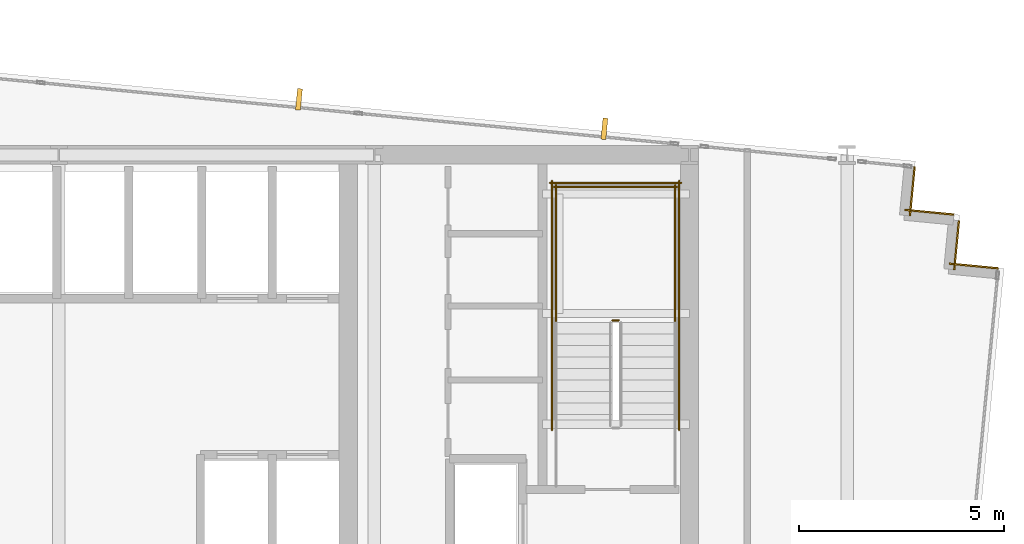
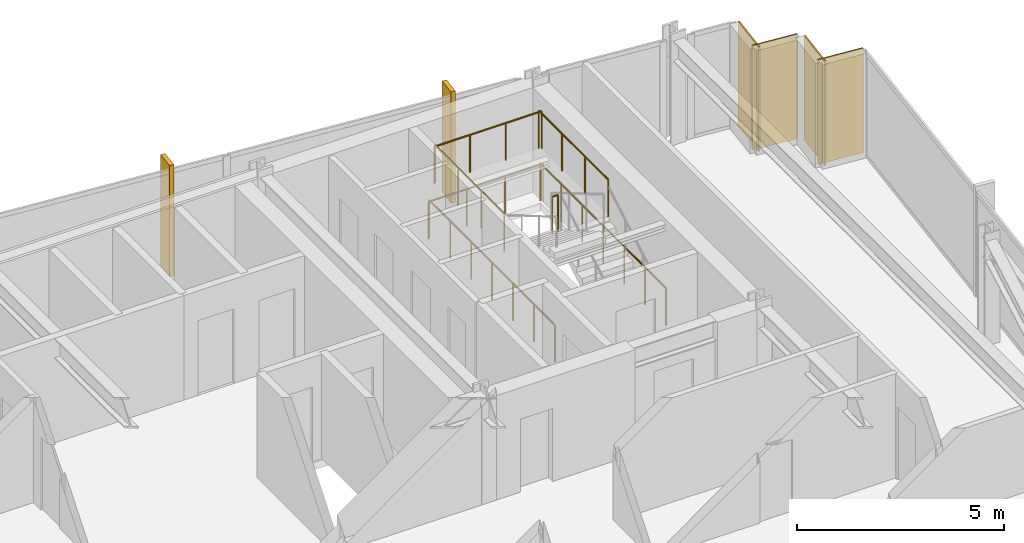
# One storey, part 37 of 37: 7 railings, 4 coverings, 2 shading devices.
"""IFC4 building model written with IfcOpenShell, lengths in metres."""

import ifcopenshell
import ifcopenshell.guid

model = None  # the IFC model being written
_history = None  # IfcOwnerHistory: only IFC2X3 demands one
_inside = {}  # id of a spatial element -> (the spatial element, [elements in it])
_under = {}  # id of a project, library or spatial element -> (it, [spatial elements below it])
_declared = {}  # id of a project -> (the project, [libraries it declares])
_typed = {}  # id of a type object -> (the type object, [elements of that type])
_made_of = {}  # id of a material, layer set ... -> (it, [elements and type objects made of it])


def new_model(schema):
    """Start an empty IFC model of exactly this schema.

    Asked for "IFC4X3", IfcOpenShell would pick the latest addendum, in which some entities
    have other attributes; the version numbers below select the first issue.
    IFC2X3 requires an IfcOwnerHistory on every rooted entity: one is made here for all.
    """
    global model, _history
    if schema == "IFC4X3":
        model = ifcopenshell.file(schema_version=(4, 3, 0, 0))
    else:
        model = ifcopenshell.file(schema=schema)
    _inside.clear()
    _under.clear()
    _declared.clear()
    _typed.clear()
    _made_of.clear()
    _history = None
    if model.schema == "IFC2X3":
        org = make("IfcOrganization", Name="unknown")
        user = make(
            "IfcPersonAndOrganization",
            ThePerson=make("IfcPerson", FamilyName="unknown"),
            TheOrganization=org,
        )
        app = make(
            "IfcApplication",
            ApplicationDeveloper=org,
            Version="unknown",
            ApplicationFullName="unknown",
            ApplicationIdentifier="unknown",
        )
        _history = make(
            "IfcOwnerHistory",
            OwningUser=user,
            OwningApplication=app,
            ChangeAction="ADDED",
            CreationDate=0,
        )
    return model


def make(cls, **values):
    """One entity of the class cls with the attributes given. An attribute that is None is left unset."""
    return model.create_entity(
        cls, **{name: value for name, value in values.items() if value is not None}
    )


def rooted(cls, **values):
    """An entity with a GlobalId (a new one), such as an element, a storey or a relation."""
    return make(cls, GlobalId=ifcopenshell.guid.new(), OwnerHistory=_history, **values)


def si_unit(unit_type, name, prefix=None):
    """IfcSIUnit, for example si_unit("LENGTHUNIT", "METRE", prefix="MILLI")."""
    return make("IfcSIUnit", UnitType=unit_type, Prefix=prefix, Name=name)


def assignment(units):
    """IfcUnitAssignment: the units of a project."""
    return None if units is None else make("IfcUnitAssignment", Units=units)


def point(xyz):
    """IfcCartesianPoint."""
    return None if xyz is None else make("IfcCartesianPoint", Coordinates=xyz)


def direction(xyz):
    """IfcDirection."""
    return None if xyz is None else make("IfcDirection", DirectionRatios=xyz)


def frame(location, z_axis=None, x_axis=None):
    """IfcAxis2Placement3D, a coordinate frame: its origin and axes. An axis left out is left unset."""
    return make(
        "IfcAxis2Placement3D",
        Location=point(location),
        Axis=direction(z_axis),
        RefDirection=direction(x_axis),
    )


def frame_2d(location, x_axis=None):
    """IfcAxis2Placement2D, a coordinate frame in the plane: its origin and x axis."""
    return make(
        "IfcAxis2Placement2D", Location=point(location), RefDirection=direction(x_axis)
    )


def origin():
    """The frame at (0, 0, 0) with its axes left unset."""
    return frame((0.0, 0.0, 0.0))


def origin_2d():
    """The frame at (0, 0) in the plane with its x axis left unset."""
    return frame_2d((0.0, 0.0))


def place(relative_to, where):
    """IfcLocalPlacement: puts the frame where relative to a parent placement (None: the world)."""
    return make(
        "IfcLocalPlacement", PlacementRelTo=relative_to, RelativePlacement=where
    )


def context(
    kind, dimensions, precision=None, world=None, true_north=None, identifier=None
):
    """IfcGeometricRepresentationContext, for example the 3D "Model" context."""
    return make(
        "IfcGeometricRepresentationContext",
        ContextIdentifier=identifier,
        ContextType=kind,
        CoordinateSpaceDimension=dimensions,
        Precision=precision,
        WorldCoordinateSystem=world,
        TrueNorth=true_north,
    )


def subcontext(parent, identifier, kind, view, scale=None):
    """IfcGeometricRepresentationSubContext, for example "Body" below "Model"."""
    return make(
        "IfcGeometricRepresentationSubContext",
        ContextIdentifier=identifier,
        ContextType=kind,
        ParentContext=parent,
        TargetScale=scale,
        TargetView=view,
    )


def project(units=None, contexts=None):
    """IfcProject with its units and contexts."""
    return rooted(
        "IfcProject",
        Name="project",
        RepresentationContexts=contexts,
        UnitsInContext=assignment(units),
    )


def spatial(cls, under=None, at=None, **own):
    """A site, building, storey or space (cls), placed at a placement, below another one or the project."""
    s = rooted(cls, ObjectPlacement=at, **own)
    if under is not None:
        _under.setdefault(under.id(), (under, []))[1].append(s)
    return s


def profile(cls, at=None, kind="AREA", **sizes):
    """A parametric profile (cls). Its sizes go by their IFC names, for example OverallWidth=200.0."""
    return make(cls, ProfileType=kind, Position=at, **sizes)


def rectangle(**sizes):
    """IfcRectangleProfileDef."""
    return profile("IfcRectangleProfileDef", **sizes)


def circle(**sizes):
    """IfcCircleProfileDef."""
    return profile("IfcCircleProfileDef", **sizes)


def extrude(swept, where, along, depth):
    """IfcExtrudedAreaSolid: the profile swept, set in the frame where, extruded along a direction by depth."""
    return make(
        "IfcExtrudedAreaSolid",
        SweptArea=swept,
        Position=where,
        ExtrudedDirection=direction(along),
        Depth=depth,
    )


def shape(context_of_items, identifier, shape_type, items):
    """IfcShapeRepresentation: the items that make up one representation, for example the "Body"."""
    return make(
        "IfcShapeRepresentation",
        ContextOfItems=context_of_items,
        RepresentationIdentifier=identifier,
        RepresentationType=shape_type,
        Items=items,
    )


def material(Name=None, Category=None):
    """IfcMaterial."""
    return make("IfcMaterial", Name=Name, Category=Category)


def layer(
    of_material, thickness, ventilated=None, Name=None, Category=None, Priority=None
):
    """IfcMaterialLayer: one layer of a wall or slab, of a material (None: an air gap)."""
    return make(
        "IfcMaterialLayer",
        Material=of_material,
        LayerThickness=thickness,
        IsVentilated=ventilated,
        Name=Name,
        Category=Category,
        Priority=Priority,
    )


def layer_set(layers, Name=None):
    """IfcMaterialLayerSet."""
    return make("IfcMaterialLayerSet", MaterialLayers=layers, LayerSetName=Name)


def made_of(thing, what):
    """Note that an element or type object is made of a material, layer set ...; save() writes the relation."""
    if what is not None:
        _made_of.setdefault(what.id(), (what, []))[1].append(thing)
    return thing


def type_object(cls, material=None, **own):
    """A type object (cls), such as IfcWallType, which elements share."""
    return made_of(rooted(cls, **own), material)


def element(
    cls,
    number,
    at=None,
    inside=None,
    cuts=None,
    type_object=None,
    material=None,
    context=None,
    identifier="Body",
    shape_type=None,
    held_by="IfcProductDefinitionShape",
    body=None,
    shapes=None,
    **own,
):
    """One element of the class cls, such as IfcWall. Its Tag is "e" and its number.

    at: its placement. inside: the storey or other place that contains it. cuts: it is an
    opening in that element (IfcRelVoidsElement). A single representation is given by context,
    identifier, shape_type and body (its items); several are given by shapes. held_by: the class
    of the entity that holds the representations. save() writes the other relations.
    """
    e = rooted(cls, Tag="e%d" % number, ObjectPlacement=at, **own)
    if body is not None:
        shapes = [shape(context, identifier, shape_type, body)]
    if shapes is not None:
        e.Representation = make(held_by, Representations=shapes)
    if inside is not None:
        _inside.setdefault(inside.id(), (inside, []))[1].append(e)
    if cuts is not None:
        rooted(
            "IfcRelVoidsElement", RelatingBuildingElement=cuts, RelatedOpeningElement=e
        )
    if type_object is not None:
        _typed.setdefault(type_object.id(), (type_object, []))[1].append(e)
    return made_of(e, material)


def aggregate(whole, parts):
    """IfcRelAggregates: a whole, such as a stair, and the parts it consists of."""
    return rooted("IfcRelAggregates", RelatingObject=whole, RelatedObjects=parts)


def save(model, path):
    """Write the relations noted so far, then the file.

    IfcRelAggregates (storeys below a building ...), IfcRelContainedInSpatialStructure (elements
    in a storey), IfcRelDefinesByType, IfcRelAssociatesMaterial and IfcRelDeclares: one each for
    every whole, place, type object, material and project.
    """
    for whole, parts in _under.values():
        aggregate(whole, parts)
    for where, things in _inside.values():
        rooted(
            "IfcRelContainedInSpatialStructure",
            RelatedElements=things,
            RelatingStructure=where,
        )
    for kind, things in _typed.values():
        rooted("IfcRelDefinesByType", RelatedObjects=things, RelatingType=kind)
    for what, things in _made_of.values():
        rooted("IfcRelAssociatesMaterial", RelatedObjects=things, RelatingMaterial=what)
    for by, libraries in _declared.values():
        rooted("IfcRelDeclares", RelatingContext=by, RelatedDefinitions=libraries)
    model.write(path)


model = new_model("IFC4")

# Units and contexts
model_context = context("Model", 3, precision=1e-05, world=origin(), true_north=direction((0.0, 1.0)))
body_context = subcontext(model_context, "Body", "Model", "MODEL_VIEW")
ifc_project = project(units=[si_unit("LENGTHUNIT", "METRE"), si_unit("AREAUNIT", "SQUARE_METRE"), si_unit("VOLUMEUNIT", "CUBIC_METRE"), si_unit("PLANEANGLEUNIT", "RADIAN"), si_unit("MASSUNIT", "GRAM", prefix="KILO")], contexts=[model_context])

# Site, building, storey
site_placement = place(None, origin())
site = spatial("IfcSite", under=ifc_project, at=site_placement, CompositionType="ELEMENT")
building_placement = place(site_placement, origin())
building = spatial("IfcBuilding", under=site, at=building_placement, Name="Yelkora Congress Tower", CompositionType="ELEMENT")
storey_placement = place(building_placement, frame((0.0, 0.0, 182.0)))
storey = spatial("IfcBuildingStorey", under=building, at=storey_placement, Name="L50", CompositionType="ELEMENT", Elevation=182.0)

# Coverings
ifc_material_1 = material(Name="Anatolian bush-hammered limestone", Category="masonry")
ifc_layer_1 = layer(ifc_material_1, 0.0400390625)
ifc_layer_set_1 = layer_set([ifc_layer_1], Name="Anatolian bush-hammered limestone")
covering_type = type_object("IfcCoveringType", Name="COV-CLAD-SPANDREL-40", PredefinedType="CLADDING", material=ifc_layer_set_1)
covering_1_placement = place(storey_placement, frame((59.2431640625, 45.909912109375, 0.0), z_axis=(0.0, 0.0, 1.0), x_axis=(-0.095836473879, -0.995397091755, 0.0)))
element("IfcCovering", 1, at=covering_1_placement, inside=storey, type_object=covering_type, Name="L50 Anatolian Limestone Cladding EW-L50-SR11", PredefinedType="CLADDING", context=body_context, shape_type="SweptSolid", body=[
    extrude(rectangle(XDim=1.199951171875, YDim=0.0400390625, at=frame_2d((0.60009765625, 0.0))), origin(), (0.0, 0.0, 1.0), 3.080078125),
])
for number, where, z_axis, x_axis, name in (
    (2, (59.006591796875, 44.86279296875, 0.0), (0.0, 0.0, 1.0), (0.995398960025, -0.095817067274, 0.0), "L50 Anatolian Limestone Cladding EW-L50-SR12"),
    (3, (60.322509765625, 44.6005859375, 0.0), (0.0, 0.0, 1.0), (-0.095817067274, -0.995398960025, 0.0), "L50 Anatolian Limestone Cladding EW-L50-SR13"),
):
    element("IfcCovering", number, at=place(storey_placement, frame(where, z_axis=z_axis, x_axis=x_axis)), inside=storey, type_object=covering_type, Name=name, PredefinedType="CLADDING", context=body_context, shape_type="SweptSolid", body=[
        extrude(rectangle(XDim=1.2001953125, YDim=0.0400390625, at=frame_2d((0.60009765625, 0.0))), origin(), (0.0, 0.0, 1.0), 3.080078125),
    ])
covering_2_placement = place(storey_placement, frame((60.086181640625, 43.55322265625, 0.0), z_axis=(0.0, 0.0, 1.0), x_axis=(0.995397091755, -0.095836473879, 0.0)))
element("IfcCovering", 4, at=covering_2_placement, inside=storey, type_object=covering_type, Name="L50 Anatolian Limestone Cladding EW-L50-SR14", PredefinedType="CLADDING", context=body_context, shape_type="SweptSolid", body=[
    extrude(rectangle(XDim=1.199951171875, YDim=0.0400390625, at=frame_2d((0.60009765625, 0.0))), origin(), (0.0, 0.0, 1.0), 3.080078125),
])

# Railings
ifc_material_2 = material(Name="Painted galvanised steel stair well guard with vertical infill", Category="steel")
ifc_layer_2 = layer(ifc_material_2, 0.06005859375)
ifc_layer_set_2 = layer_set([ifc_layer_2], Name="Painted galvanised steel stair well guard with vertical infill")
railing_type = type_object("IfcRailingType", Name="RAIL-STAIR-GUARD-1120", PredefinedType="GUARDRAIL", material=ifc_layer_set_2)
railing_1_placement = place(storey_placement, frame((52.0400390625, 42.169921875, 1.64990234375)))
element("IfcRailing", 5, at=railing_1_placement, inside=storey, type_object=railing_type, Name="ST-02 L50 Stair Well Guardrail 2", PredefinedType="GUARDRAIL", context=body_context, shape_type="SweptSolid", body=[
    extrude(circle(Radius=0.02392578125, at=origin_2d()), frame((0.0, 0.0, 1.09619140625), z_axis=(-1.0, 0.0, 0.0), x_axis=(0.0, -1.0, 0.0)), (0.0, 0.0, 1.0), 0.16015625),
    extrude(circle(Radius=0.02099609375, at=origin_2d()), origin(), (0.0, 0.0, 1.0), 1.072021484375),
    extrude(circle(Radius=0.02099609375, at=origin_2d()), frame((-0.16015625, 0.0, 0.0)), (0.0, 0.0, 1.0), 1.072021484375),
])
for number, where, name in (
    (6, (53.409912109375, 42.1201171875, 1.64990234375), "ST-02 L50 Stair Well Guardrail 3"),
    (7, (50.510009765625, 42.1201171875, 1.64990234375), "ST-02 L50 Stair Well Guardrail 4"),
):
    element("IfcRailing", number, at=place(storey_placement, frame(where)), inside=storey, type_object=railing_type, Name=name, PredefinedType="GUARDRAIL", context=body_context, shape_type="SweptSolid", body=[
        extrude(circle(Radius=0.02392578125, at=origin_2d()), frame((0.0, 0.0, 1.09619140625), z_axis=(0.0, 1.0, 0.0), x_axis=(-1.0, 0.0, 0.0)), (0.0, 0.0, 1.0), 3.349853515625),
        extrude(circle(Radius=0.02099609375, at=origin_2d()), origin(), (0.0, 0.0, 1.0), 1.072021484375),
        extrude(circle(Radius=0.02099609375, at=origin_2d()), frame((0.0, 1.11669921875, 0.0)), (0.0, 0.0, 1.0), 1.072021484375),
        extrude(circle(Radius=0.02099609375, at=origin_2d()), frame((0.0, 2.233154296875, 0.0)), (0.0, 0.0, 1.0), 1.072021484375),
        extrude(circle(Radius=0.02099609375, at=origin_2d()), frame((0.0, 3.349853515625, 0.0)), (0.0, 0.0, 1.0), 1.072021484375),
    ])
railing_2_placement = place(storey_placement, frame((53.4599609375, 45.419921875, 1.64990234375)))
element("IfcRailing", 8, at=railing_2_placement, inside=storey, type_object=railing_type, Name="ST-02 L50 Stair Well Guardrail 5", PredefinedType="GUARDRAIL", context=body_context, shape_type="SweptSolid", body=[
    extrude(circle(Radius=0.02392578125, at=origin_2d()), frame((0.0, 0.0, 1.09619140625), z_axis=(-1.0, 0.0, 0.0), x_axis=(0.0, -1.0, 0.0)), (0.0, 0.0, 1.0), 3.0),
    extrude(circle(Radius=0.02099609375, at=origin_2d()), origin(), (0.0, 0.0, 1.0), 1.072021484375),
    extrude(circle(Radius=0.02099609375, at=origin_2d()), frame((-1.0, 0.0, 0.0)), (0.0, 0.0, 1.0), 1.072021484375),
    extrude(circle(Radius=0.02099609375, at=origin_2d()), frame((-2.0, 0.0, 0.0)), (0.0, 0.0, 1.0), 1.072021484375),
    extrude(circle(Radius=0.02099609375, at=origin_2d()), frame((-3.0, 0.0, 0.0)), (0.0, 0.0, 1.0), 1.072021484375),
])
for number, where, name in (
    (9, (53.510009765625, 39.5, 0.0), "ST-02 L50 Stair Well Guardrail 10"),
    (10, (50.409912109375, 39.5, 0.0), "ST-02 L50 Stair Well Guardrail 11"),
):
    element("IfcRailing", number, at=place(storey_placement, frame(where)), inside=storey, type_object=railing_type, Name=name, PredefinedType="GUARDRAIL", context=body_context, shape_type="SweptSolid", body=[
        extrude(circle(Radius=0.02392578125, at=origin_2d()), frame((0.0, 0.0, 1.09619140625), z_axis=(0.0, 1.0, 0.0), x_axis=(-1.0, 0.0, 0.0)), (0.0, 0.0, 1.0), 6.070068359375),
        extrude(circle(Radius=0.02099609375, at=origin_2d()), origin(), (0.0, 0.0, 1.0), 1.072021484375),
        extrude(circle(Radius=0.02099609375, at=origin_2d()), frame((0.0, 1.01171875, 0.0)), (0.0, 0.0, 1.0), 1.072021484375),
        extrude(circle(Radius=0.02099609375, at=origin_2d()), frame((0.0, 2.0234375, 0.0)), (0.0, 0.0, 1.0), 1.072021484375),
        extrude(circle(Radius=0.02099609375, at=origin_2d()), frame((0.0, 3.03515625, 0.0)), (0.0, 0.0, 1.0), 1.072021484375),
        extrude(circle(Radius=0.02099609375, at=origin_2d()), frame((0.0, 4.046630859375, 0.0)), (0.0, 0.0, 1.0), 1.072021484375),
        extrude(circle(Radius=0.02099609375, at=origin_2d()), frame((0.0, 5.058349609375, 0.0)), (0.0, 0.0, 1.0), 1.072021484375),
        extrude(circle(Radius=0.02099609375, at=origin_2d()), frame((0.0, 6.070068359375, 0.0)), (0.0, 0.0, 1.0), 1.072021484375),
    ])
railing_3_placement = place(storey_placement, frame((53.56005859375, 45.52001953125, 0.0)))
element("IfcRailing", 11, at=railing_3_placement, inside=storey, type_object=railing_type, Name="ST-02 L50 Stair Well Guardrail 12", PredefinedType="GUARDRAIL", context=body_context, shape_type="SweptSolid", body=[
    extrude(circle(Radius=0.02392578125, at=origin_2d()), frame((0.0, 0.0, 1.09619140625), z_axis=(-1.0, 0.0, 0.0), x_axis=(0.0, -1.0, 0.0)), (0.0, 0.0, 1.0), 3.199951171875),
    extrude(circle(Radius=0.02099609375, at=origin_2d()), origin(), (0.0, 0.0, 1.0), 1.072021484375),
    extrude(circle(Radius=0.02099609375, at=origin_2d()), frame((-1.066650390625, 0.0, 0.0)), (0.0, 0.0, 1.0), 1.072021484375),
    extrude(circle(Radius=0.02099609375, at=origin_2d()), frame((-2.13330078125, 0.0, 0.0)), (0.0, 0.0, 1.0), 1.072021484375),
    extrude(circle(Radius=0.02099609375, at=origin_2d()), frame((-3.199951171875, 0.0, 0.0)), (0.0, 0.0, 1.0), 1.072021484375),
])

# Shading devices
ifc_material_3 = material(Name="Champagne anodised aluminium", Category="aluminium")
ifc_layer_3 = layer(ifc_material_3, 3.300048828125)
ifc_layer_set_3 = layer_set([ifc_layer_3], Name="Champagne anodised aluminium")
shading_device_type = type_object("IfcShadingDeviceType", Name="SHD-FIN-ALU-520", PredefinedType="USERDEFINED", material=ifc_layer_set_3)
for number, where, z_axis, x_axis, name in (
    (12, (44.248291015625, 47.5546875, -0.02978515625), (0.0, 0.0, 1.0), (0.995396198367, -0.09584575252, 0.0), "L50 Vertical Anodised Solar Fin 10-5"),
    (13, (51.68798828125, 46.83837890625, -0.02978515625), (0.0, 0.0, 1.0), (0.995396198367, -0.09584575252, 0.0), "L50 Vertical Anodised Solar Fin 10-6"),
):
    element("IfcShadingDevice", number, at=place(storey_placement, frame(where, z_axis=z_axis, x_axis=x_axis)), inside=storey, type_object=shading_device_type, Name=name, ObjectType="FIN", PredefinedType="USERDEFINED", context=body_context, shape_type="SweptSolid", body=[
        extrude(rectangle(XDim=0.1201171875, YDim=0.52001953125, at=origin_2d()), origin(), (0.0, 0.0, 1.0), 3.280029296875),
    ])

save(model, "model.ifc")
